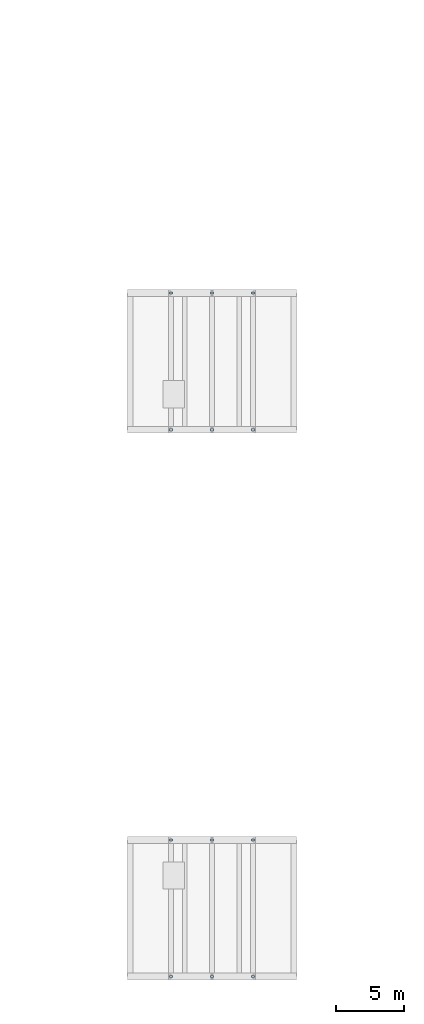
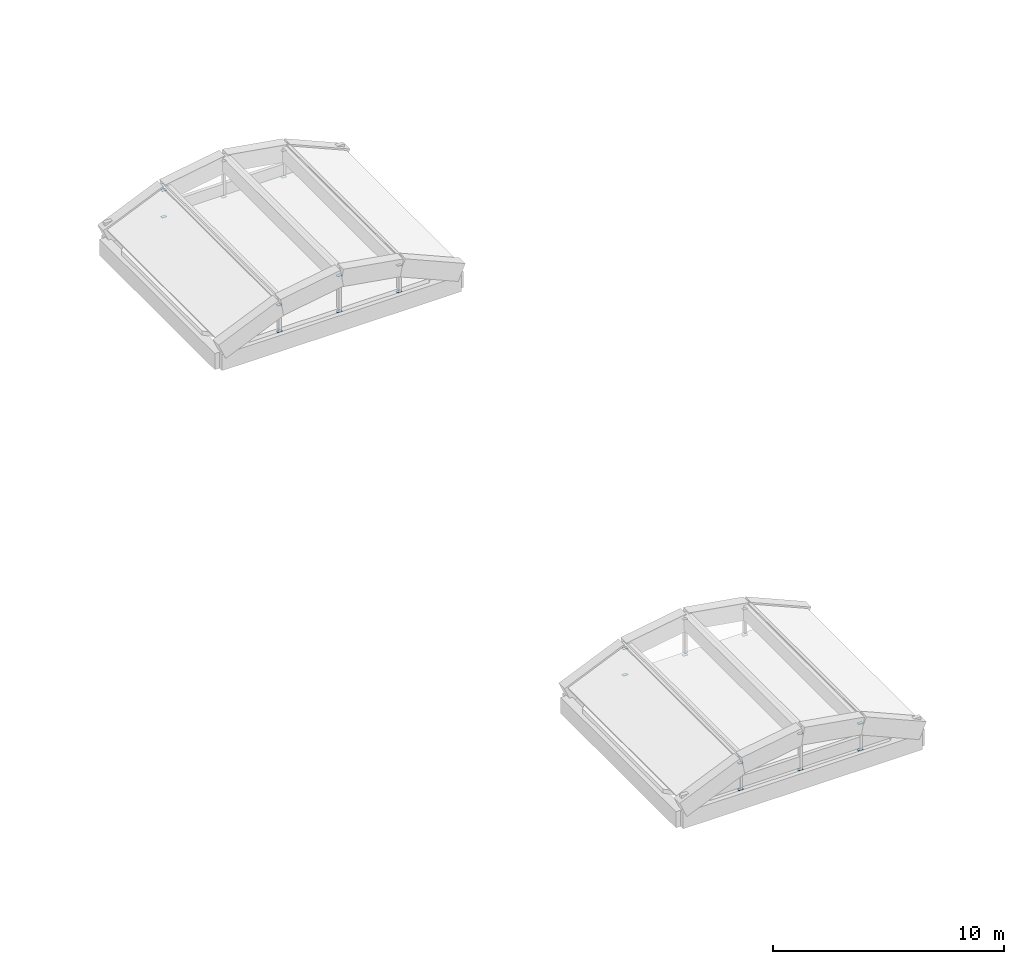
# One storey, part 75 of 82: 24 plates.
"""IFC4 building model written with IfcOpenShell, lengths in metres."""

from ifc_helpers import new_model, si_unit, direction, frame, origin, origin_2d, place, context, subcontext, project, spatial, rectangle, extrude, material, layer, layer_set, type_object, element, save


model = new_model("IFC4")

# Units and contexts
model_context = context("Model", 3, precision=1e-05, world=origin(), true_north=direction((0.0, 1.0)))
body_context = subcontext(model_context, "Body", "Model", "MODEL_VIEW")
ifc_project = project(units=[si_unit("LENGTHUNIT", "METRE"), si_unit("AREAUNIT", "SQUARE_METRE"), si_unit("VOLUMEUNIT", "CUBIC_METRE"), si_unit("PLANEANGLEUNIT", "RADIAN"), si_unit("MASSUNIT", "GRAM", prefix="KILO")], contexts=[model_context])

# Site, building, storey
site_placement = place(None, origin())
site = spatial("IfcSite", under=ifc_project, at=site_placement, CompositionType="ELEMENT")
building_placement = place(site_placement, origin())
building = spatial("IfcBuilding", under=site, at=building_placement, Name="Mersad Railyard Sports Hall", CompositionType="ELEMENT")
storey_placement = place(building_placement, frame((0.0, 0.0, 13.199951171875)))
storey = spatial("IfcBuildingStorey", under=building, at=storey_placement, Name="L03", CompositionType="ELEMENT", Elevation=13.199951171875)

# Plates
ifc_material = material(Name="Steel S355", Category="steel")
ifc_layer = layer(ifc_material, 0.02001953125)
ifc_layer_set = layer_set([ifc_layer], Name="Steel S355")
plate_type = type_object("IfcPlateType", Name="STR-PL-KP03", PredefinedType="SHEET", material=ifc_layer_set)
for number, where, z_axis, x_axis, name in (
    (1, (82.0, 3.5, -0.159912109375), (0.0, 0.0, 1.0), (1.0, 0.0, 0.0), "End cap plate KP03-0271"),
    (2, (82.0, 3.5, 1.239990234375), (0.0, 0.0, 1.0), (1.0, 0.0, 0.0), "End cap plate KP03-0272"),
    (3, (85.0, 3.5, -0.159912109375), (0.0, 0.0, 1.0), (1.0, 0.0, 0.0), "End cap plate KP03-0273"),
    (4, (85.0, 3.5, 1.739990234375), (0.0, 0.0, 1.0), (1.0, 0.0, 0.0), "End cap plate KP03-0274"),
    (5, (88.0, 3.5, -0.159912109375), (0.0, 0.0, 1.0), (1.0, 0.0, 0.0), "End cap plate KP03-0275"),
    (6, (88.0, 3.5, 1.239990234375), (0.0, 0.0, 1.0), (1.0, 0.0, 0.0), "End cap plate KP03-0276"),
    (7, (82.0, 13.5, -0.159912109375), (0.0, 0.0, 1.0), (1.0, 0.0, 0.0), "End cap plate KP03-0277"),
    (8, (82.0, 13.5, 1.239990234375), (0.0, 0.0, 1.0), (1.0, 0.0, 0.0), "End cap plate KP03-0278"),
    (9, (85.0, 13.5, -0.159912109375), (0.0, 0.0, 1.0), (1.0, 0.0, 0.0), "End cap plate KP03-0279"),
    (10, (85.0, 13.5, 1.739990234375), (0.0, 0.0, 1.0), (1.0, 0.0, 0.0), "End cap plate KP03-0280"),
    (11, (88.0, 13.5, -0.159912109375), (0.0, 0.0, 1.0), (1.0, 0.0, 0.0), "End cap plate KP03-0281"),
    (12, (88.0, 13.5, 1.239990234375), (0.0, 0.0, 1.0), (1.0, 0.0, 0.0), "End cap plate KP03-0282"),
    (13, (82.0, 43.5, -0.159912109375), (0.0, 0.0, 1.0), (1.0, 0.0, 0.0), "End cap plate KP03-0295"),
    (14, (82.0, 43.5, 1.239990234375), (0.0, 0.0, 1.0), (1.0, 0.0, 0.0), "End cap plate KP03-0296"),
    (15, (85.0, 43.5, -0.159912109375), (0.0, 0.0, 1.0), (1.0, 0.0, 0.0), "End cap plate KP03-0297"),
    (16, (85.0, 43.5, 1.739990234375), (0.0, 0.0, 1.0), (1.0, 0.0, 0.0), "End cap plate KP03-0298"),
    (17, (88.0, 43.5, -0.159912109375), (0.0, 0.0, 1.0), (1.0, 0.0, 0.0), "End cap plate KP03-0299"),
    (18, (88.0, 43.5, 1.239990234375), (0.0, 0.0, 1.0), (1.0, 0.0, 0.0), "End cap plate KP03-0300"),
    (19, (82.0, 53.5, -0.159912109375), (0.0, 0.0, 1.0), (1.0, 0.0, 0.0), "End cap plate KP03-0301"),
    (20, (82.0, 53.5, 1.239990234375), (0.0, 0.0, 1.0), (1.0, 0.0, 0.0), "End cap plate KP03-0302"),
    (21, (85.0, 53.5, -0.159912109375), (0.0, 0.0, 1.0), (1.0, 0.0, 0.0), "End cap plate KP03-0303"),
    (22, (85.0, 53.5, 1.739990234375), (0.0, 0.0, 1.0), (1.0, 0.0, 0.0), "End cap plate KP03-0304"),
    (23, (88.0, 53.5, -0.159912109375), (0.0, 0.0, 1.0), (1.0, 0.0, 0.0), "End cap plate KP03-0305"),
    (24, (88.0, 53.5, 1.239990234375), (0.0, 0.0, 1.0), (1.0, 0.0, 0.0), "End cap plate KP03-0306"),
):
    element("IfcPlate", number, at=place(storey_placement, frame(where, z_axis=z_axis, x_axis=x_axis)), inside=storey, type_object=plate_type, Name=name, PredefinedType="SHEET", context=body_context, shape_type="SweptSolid", body=[
        extrude(rectangle(XDim=0.239990234375, YDim=0.159912109375, at=origin_2d()), origin(), (0.0, 0.0, 1.0), 0.02001953125),
    ])

save(model, "model.ifc")
